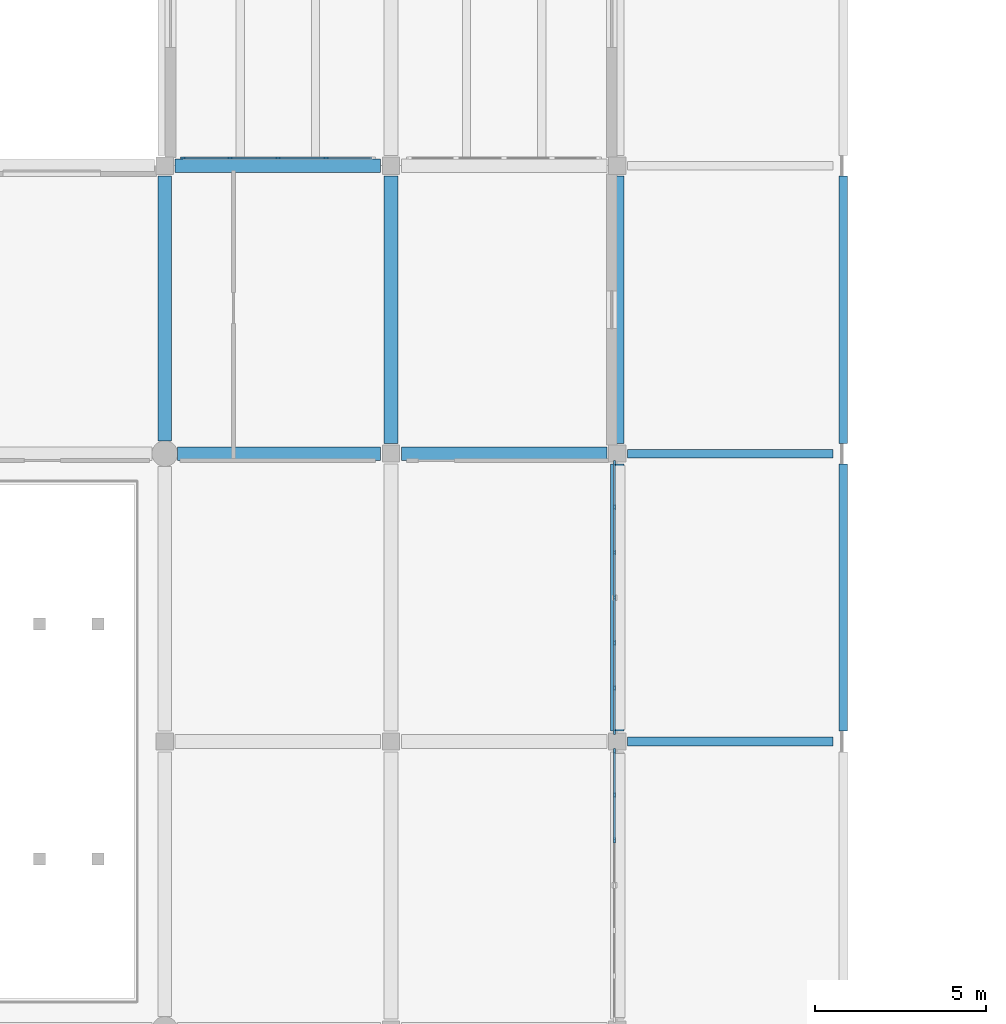
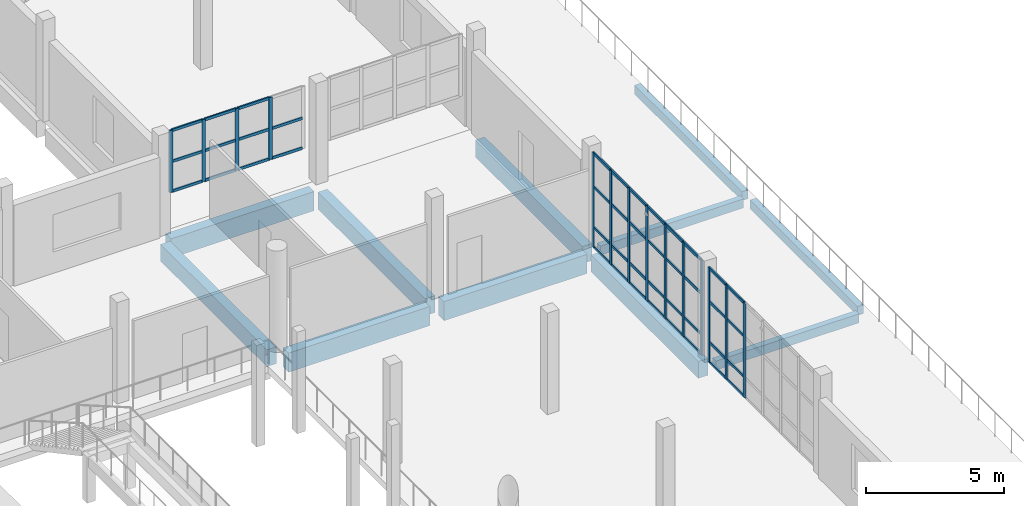
# One storey, part 7 of 83: 57 members, 11 beams, 3 elements without a shape of their own.
"""IFC4 building model written with IfcOpenShell, lengths in metres."""

import ifcopenshell
import ifcopenshell.guid

model = None  # the IFC model being written
_history = None  # IfcOwnerHistory: only IFC2X3 demands one
_inside = {}  # id of a spatial element -> (the spatial element, [elements in it])
_under = {}  # id of a project, library or spatial element -> (it, [spatial elements below it])
_declared = {}  # id of a project -> (the project, [libraries it declares])
_typed = {}  # id of a type object -> (the type object, [elements of that type])
_made_of = {}  # id of a material, layer set ... -> (it, [elements and type objects made of it])


def new_model(schema):
    """Start an empty IFC model of exactly this schema.

    Asked for "IFC4X3", IfcOpenShell would pick the latest addendum, in which some entities
    have other attributes; the version numbers below select the first issue.
    IFC2X3 requires an IfcOwnerHistory on every rooted entity: one is made here for all.
    """
    global model, _history
    if schema == "IFC4X3":
        model = ifcopenshell.file(schema_version=(4, 3, 0, 0))
    else:
        model = ifcopenshell.file(schema=schema)
    _inside.clear()
    _under.clear()
    _declared.clear()
    _typed.clear()
    _made_of.clear()
    _history = None
    if model.schema == "IFC2X3":
        org = make("IfcOrganization", Name="unknown")
        user = make(
            "IfcPersonAndOrganization",
            ThePerson=make("IfcPerson", FamilyName="unknown"),
            TheOrganization=org,
        )
        app = make(
            "IfcApplication",
            ApplicationDeveloper=org,
            Version="unknown",
            ApplicationFullName="unknown",
            ApplicationIdentifier="unknown",
        )
        _history = make(
            "IfcOwnerHistory",
            OwningUser=user,
            OwningApplication=app,
            ChangeAction="ADDED",
            CreationDate=0,
        )
    return model


def make(cls, **values):
    """One entity of the class cls with the attributes given. An attribute that is None is left unset."""
    return model.create_entity(
        cls, **{name: value for name, value in values.items() if value is not None}
    )


def rooted(cls, **values):
    """An entity with a GlobalId (a new one), such as an element, a storey or a relation."""
    return make(cls, GlobalId=ifcopenshell.guid.new(), OwnerHistory=_history, **values)


def si_unit(unit_type, name, prefix=None):
    """IfcSIUnit, for example si_unit("LENGTHUNIT", "METRE", prefix="MILLI")."""
    return make("IfcSIUnit", UnitType=unit_type, Prefix=prefix, Name=name)


def assignment(units):
    """IfcUnitAssignment: the units of a project."""
    return None if units is None else make("IfcUnitAssignment", Units=units)


def point(xyz):
    """IfcCartesianPoint."""
    return None if xyz is None else make("IfcCartesianPoint", Coordinates=xyz)


def direction(xyz):
    """IfcDirection."""
    return None if xyz is None else make("IfcDirection", DirectionRatios=xyz)


def frame(location, z_axis=None, x_axis=None):
    """IfcAxis2Placement3D, a coordinate frame: its origin and axes. An axis left out is left unset."""
    return make(
        "IfcAxis2Placement3D",
        Location=point(location),
        Axis=direction(z_axis),
        RefDirection=direction(x_axis),
    )


def frame_2d(location, x_axis=None):
    """IfcAxis2Placement2D, a coordinate frame in the plane: its origin and x axis."""
    return make(
        "IfcAxis2Placement2D", Location=point(location), RefDirection=direction(x_axis)
    )


def origin():
    """The frame at (0, 0, 0) with its axes left unset."""
    return frame((0.0, 0.0, 0.0))


def origin_2d():
    """The frame at (0, 0) in the plane with its x axis left unset."""
    return frame_2d((0.0, 0.0))


def place(relative_to, where):
    """IfcLocalPlacement: puts the frame where relative to a parent placement (None: the world)."""
    return make(
        "IfcLocalPlacement", PlacementRelTo=relative_to, RelativePlacement=where
    )


def context(
    kind, dimensions, precision=None, world=None, true_north=None, identifier=None
):
    """IfcGeometricRepresentationContext, for example the 3D "Model" context."""
    return make(
        "IfcGeometricRepresentationContext",
        ContextIdentifier=identifier,
        ContextType=kind,
        CoordinateSpaceDimension=dimensions,
        Precision=precision,
        WorldCoordinateSystem=world,
        TrueNorth=true_north,
    )


def subcontext(parent, identifier, kind, view, scale=None):
    """IfcGeometricRepresentationSubContext, for example "Body" below "Model"."""
    return make(
        "IfcGeometricRepresentationSubContext",
        ContextIdentifier=identifier,
        ContextType=kind,
        ParentContext=parent,
        TargetScale=scale,
        TargetView=view,
    )


def project(units=None, contexts=None):
    """IfcProject with its units and contexts."""
    return rooted(
        "IfcProject",
        Name="project",
        RepresentationContexts=contexts,
        UnitsInContext=assignment(units),
    )


def spatial(cls, under=None, at=None, **own):
    """A site, building, storey or space (cls), placed at a placement, below another one or the project."""
    s = rooted(cls, ObjectPlacement=at, **own)
    if under is not None:
        _under.setdefault(under.id(), (under, []))[1].append(s)
    return s


def profile(cls, at=None, kind="AREA", **sizes):
    """A parametric profile (cls). Its sizes go by their IFC names, for example OverallWidth=200.0."""
    return make(cls, ProfileType=kind, Position=at, **sizes)


def rectangle(**sizes):
    """IfcRectangleProfileDef."""
    return profile("IfcRectangleProfileDef", **sizes)


def extrude(swept, where, along, depth):
    """IfcExtrudedAreaSolid: the profile swept, set in the frame where, extruded along a direction by depth."""
    return make(
        "IfcExtrudedAreaSolid",
        SweptArea=swept,
        Position=where,
        ExtrudedDirection=direction(along),
        Depth=depth,
    )


def shape(context_of_items, identifier, shape_type, items):
    """IfcShapeRepresentation: the items that make up one representation, for example the "Body"."""
    return make(
        "IfcShapeRepresentation",
        ContextOfItems=context_of_items,
        RepresentationIdentifier=identifier,
        RepresentationType=shape_type,
        Items=items,
    )


def material(Name=None, Category=None):
    """IfcMaterial."""
    return make("IfcMaterial", Name=Name, Category=Category)


def material_profile(
    of_material, cross_section, Name=None, Category=None, Priority=None
):
    """IfcMaterialProfile: a cross section and its material."""
    return make(
        "IfcMaterialProfile",
        Name=Name,
        Material=of_material,
        Profile=cross_section,
        Priority=Priority,
        Category=Category,
    )


def profile_set(profiles, Name=None, composite=None):
    """IfcMaterialProfileSet."""
    return make(
        "IfcMaterialProfileSet",
        Name=Name,
        MaterialProfiles=profiles,
        CompositeProfile=composite,
    )


def made_of(thing, what):
    """Note that an element or type object is made of a material, layer set ...; save() writes the relation."""
    if what is not None:
        _made_of.setdefault(what.id(), (what, []))[1].append(thing)
    return thing


def type_object(cls, material=None, **own):
    """A type object (cls), such as IfcWallType, which elements share."""
    return made_of(rooted(cls, **own), material)


def element(
    cls,
    number,
    at=None,
    inside=None,
    cuts=None,
    type_object=None,
    material=None,
    context=None,
    identifier="Body",
    shape_type=None,
    held_by="IfcProductDefinitionShape",
    body=None,
    shapes=None,
    **own,
):
    """One element of the class cls, such as IfcWall. Its Tag is "e" and its number.

    at: its placement. inside: the storey or other place that contains it. cuts: it is an
    opening in that element (IfcRelVoidsElement). A single representation is given by context,
    identifier, shape_type and body (its items); several are given by shapes. held_by: the class
    of the entity that holds the representations. save() writes the other relations.
    """
    e = rooted(cls, Tag="e%d" % number, ObjectPlacement=at, **own)
    if body is not None:
        shapes = [shape(context, identifier, shape_type, body)]
    if shapes is not None:
        e.Representation = make(held_by, Representations=shapes)
    if inside is not None:
        _inside.setdefault(inside.id(), (inside, []))[1].append(e)
    if cuts is not None:
        rooted(
            "IfcRelVoidsElement", RelatingBuildingElement=cuts, RelatedOpeningElement=e
        )
    if type_object is not None:
        _typed.setdefault(type_object.id(), (type_object, []))[1].append(e)
    return made_of(e, material)


def aggregate(whole, parts):
    """IfcRelAggregates: a whole, such as a stair, and the parts it consists of."""
    return rooted("IfcRelAggregates", RelatingObject=whole, RelatedObjects=parts)


def save(model, path):
    """Write the relations noted so far, then the file.

    IfcRelAggregates (storeys below a building ...), IfcRelContainedInSpatialStructure (elements
    in a storey), IfcRelDefinesByType, IfcRelAssociatesMaterial and IfcRelDeclares: one each for
    every whole, place, type object, material and project.
    """
    for whole, parts in _under.values():
        aggregate(whole, parts)
    for where, things in _inside.values():
        rooted(
            "IfcRelContainedInSpatialStructure",
            RelatedElements=things,
            RelatingStructure=where,
        )
    for kind, things in _typed.values():
        rooted("IfcRelDefinesByType", RelatedObjects=things, RelatingType=kind)
    for what, things in _made_of.values():
        rooted("IfcRelAssociatesMaterial", RelatedObjects=things, RelatingMaterial=what)
    for by, libraries in _declared.values():
        rooted("IfcRelDeclares", RelatingContext=by, RelatedDefinitions=libraries)
    model.write(path)


model = new_model("IFC4")

# Units and contexts
model_context = context("Model", 3, precision=1e-05, world=origin(), true_north=direction((0.0, 1.0)))
body_context = subcontext(model_context, "Body", "Model", "MODEL_VIEW")
ifc_project = project(units=[si_unit("LENGTHUNIT", "METRE"), si_unit("AREAUNIT", "SQUARE_METRE"), si_unit("VOLUMEUNIT", "CUBIC_METRE"), si_unit("PLANEANGLEUNIT", "RADIAN"), si_unit("MASSUNIT", "GRAM", prefix="KILO")], contexts=[model_context])

# Site, building, storey
site_placement = place(None, origin())
site = spatial("IfcSite", under=ifc_project, at=site_placement, CompositionType="ELEMENT")
building_placement = place(site_placement, origin())
building = spatial("IfcBuilding", under=site, at=building_placement, Name="Qaldarim Faculty of Natural and Applied Sciences", CompositionType="ELEMENT")
storey_placement = place(building_placement, frame((0.0, 0.0, 5.39990234375)))
storey = spatial("IfcBuildingStorey", under=building, at=storey_placement, Name="L01", CompositionType="ELEMENT", Elevation=5.39990234375)

# Beams
ifc_material_1 = material(Name="Concrete C40/50", Category="concrete")
ifc_material_profile_1 = material_profile(ifc_material_1, rectangle(XDim=0.25, YDim=0.39990234375, at=origin_2d()), Name="RC-LN250x400")
ifc_profile_set_1 = profile_set([ifc_material_profile_1], Name="Concrete C40/50")
beam_type_1 = type_object("IfcBeamType", Name="ArcadeLintel-RC250x400", PredefinedType="LINTEL", material=ifc_profile_set_1)
for number, where, z_axis, x_axis, name in (
    (1, (46.5, 67.199951171875, -0.39990234375), (1.0, 0.0, 0.0), (0.0, 1.0, 0.0), "Beam RC-LN250x400 L00 X08-X09/Y09"),
    (2, (46.5, 75.60009765625, -0.39990234375), (1.0, 0.0, 0.0), (0.0, 1.0, 0.0), "Beam RC-LN250x400 L00 X08-X09/Y10"),
):
    element("IfcBeam", number, at=place(storey_placement, frame(where, z_axis=z_axis, x_axis=x_axis)), inside=storey, type_object=beam_type_1, Name=name, PredefinedType="LINTEL", context=body_context, shape_type="SweptSolid", body=[
        extrude(rectangle(XDim=0.25, YDim=0.39990234375, at=origin_2d()), origin(), (0.0, 0.0, 1.0), 6.0),
    ])
for number, where, z_axis, x_axis, name in (
    (3, (52.800048828125, 67.5, -0.39990234375), (0.0, 1.0, 0.0), (-1.0, 0.0, 0.0), "Beam RC-LN250x400 L00 X09/Y09-Y10"),
    (4, (52.800048828125, 75.89990234375, -0.39990234375), (0.0, 1.0, 0.0), (-1.0, 0.0, 0.0), "Beam RC-LN250x400 L00 X09/Y10-Y11"),
):
    element("IfcBeam", number, at=place(storey_placement, frame(where, z_axis=z_axis, x_axis=x_axis)), inside=storey, type_object=beam_type_1, Name=name, PredefinedType="LINTEL", context=body_context, shape_type="SweptSolid", body=[
        extrude(rectangle(XDim=0.25, YDim=0.39990234375, at=origin_2d()), origin(), (0.0, 0.0, 1.0), 7.800048828125),
    ])
ifc_material_2 = material(Name="Concrete C50/60", Category="concrete")
ifc_material_profile_2 = material_profile(ifc_material_2, rectangle(XDim=0.39990234375, YDim=0.75, at=origin_2d()), Name="RC-B400x750")
ifc_profile_set_2 = profile_set([ifc_material_profile_2], Name="Concrete C50/60")
beam_type_2 = type_object("IfcBeamType", Name="LabGirder-RC400x750", PredefinedType="BEAM", material=ifc_profile_set_2)
beam_1_placement = place(storey_placement, frame((33.0, 75.97509765625, -0.6748046875), z_axis=(0.0, 1.0, 0.0), x_axis=(-1.0, 0.0, 0.0)))
element("IfcBeam", 5, at=beam_1_placement, inside=storey, type_object=beam_type_2, Name="Beam RC-B400x750 L00 X06/Y10-Y11", PredefinedType="BEAM", context=body_context, shape_type="SweptSolid", body=[
    extrude(rectangle(XDim=0.39990234375, YDim=0.75, at=origin_2d()), origin(), (0.0, 0.0, 1.0), 7.724853515625),
])
for number, where, z_axis, x_axis, name in (
    (6, (39.60009765625, 75.89990234375, -0.6748046875), (0.0, 1.0, 0.0), (-1.0, 0.0, 0.0), "Beam RC-B400x750 L00 X07/Y10-Y11"),
    (7, (46.199951171875, 67.5, -0.6748046875), (0.0, 1.0, 0.0), (-1.0, 0.0, 0.0), "Beam RC-B400x750 L00 X08/Y09-Y10"),
    (8, (46.199951171875, 75.89990234375, -0.6748046875), (0.0, 1.0, 0.0), (-1.0, 0.0, 0.0), "Beam RC-B400x750 L00 X08/Y10-Y11"),
):
    element("IfcBeam", number, at=place(storey_placement, frame(where, z_axis=z_axis, x_axis=x_axis)), inside=storey, type_object=beam_type_2, Name=name, PredefinedType="BEAM", context=body_context, shape_type="SweptSolid", body=[
        extrude(rectangle(XDim=0.39990234375, YDim=0.75, at=origin_2d()), origin(), (0.0, 0.0, 1.0), 7.800048828125),
    ])

# Curtain wall, members
ifc_material_3 = material(Name="Anodised aluminium AW-6063", Category="aluminium")
curtain_wall_type_1 = type_object("IfcCurtainWallType", Name="CurtainWallSystem-M1300", PredefinedType="USERDEFINED", material=ifc_material_3)
curtain_wall_1_placement = place(storey_placement, origin())
curtain_wall_1 = element("IfcCurtainWall", 9, at=curtain_wall_1_placement, inside=storey, type_object=curtain_wall_type_1, Name="Curtain wall CW-L01-E-X07Y08", ObjectType="STICK CURTAIN WALL", PredefinedType="USERDEFINED")
ifc_material_profile_3 = material_profile(ifc_material_3, rectangle(XDim=0.06005859375, YDim=0.14990234375, at=origin_2d()), Name="ALU-M60x150")
ifc_profile_set_3 = profile_set([ifc_material_profile_3], Name="Anodised aluminium AW-6063")
member_type_1 = type_object("IfcMemberType", Name="Mullion-ALU60x150", PredefinedType="MULLION", material=ifc_profile_set_3)
member_1_placement = place(storey_placement, frame((46.1201171875, 64.318359375, 0.0), z_axis=(0.0, 0.0, 1.0), x_axis=(-1.0, 0.0, 0.0)))
member_1 = element("IfcMember", 10, at=member_1_placement, type_object=member_type_1, Name="Mullion 5 of CW-L01-E-X07Y08", PredefinedType="MULLION", context=body_context, shape_type="SweptSolid", body=[
    extrude(rectangle(XDim=0.06005859375, YDim=0.14990234375, at=origin_2d()), origin(), (0.0, 0.0, 1.0), 4.2001953125),
])
member_2_placement = place(storey_placement, frame((46.1201171875, 65.63671875, 0.0), z_axis=(0.0, 0.0, 1.0), x_axis=(-1.0, 0.0, 0.0)))
member_2 = element("IfcMember", 11, at=member_2_placement, type_object=member_type_1, Name="Mullion 6 of CW-L01-E-X07Y08", PredefinedType="MULLION", context=body_context, shape_type="SweptSolid", body=[
    extrude(rectangle(XDim=0.06005859375, YDim=0.14990234375, at=origin_2d()), origin(), (0.0, 0.0, 1.0), 4.2001953125),
])
member_3_placement = place(storey_placement, frame((46.1201171875, 66.925048828125, 0.0), z_axis=(0.0, 0.0, 1.0), x_axis=(-1.0, 0.0, 0.0)))
member_3 = element("IfcMember", 12, at=member_3_placement, type_object=member_type_1, Name="Mullion 7 of CW-L01-E-X07Y08", PredefinedType="MULLION", context=body_context, shape_type="SweptSolid", body=[
    extrude(rectangle(XDim=0.06005859375, YDim=0.14990234375, at=origin_2d()), origin(), (0.0, 0.0, 1.0), 4.2001953125),
])

curtain_wall_2_placement = place(storey_placement, origin())
curtain_wall_2 = element("IfcCurtainWall", 13, at=curtain_wall_2_placement, inside=storey, type_object=curtain_wall_type_1, Name="Curtain wall CW-L01-E-X07Y09", ObjectType="STICK CURTAIN WALL", PredefinedType="USERDEFINED")
member_4_placement = place(storey_placement, frame((46.1201171875, 67.47509765625, 0.0), z_axis=(0.0, 0.0, 1.0), x_axis=(-1.0, 0.0, 0.0)))
member_4 = element("IfcMember", 14, at=member_4_placement, type_object=member_type_1, Name="Mullion 1 of CW-L01-E-X07Y09", PredefinedType="MULLION", context=body_context, shape_type="SweptSolid", body=[
    extrude(rectangle(XDim=0.06005859375, YDim=0.14990234375, at=origin_2d()), origin(), (0.0, 0.0, 1.0), 4.2001953125),
])
member_5_placement = place(storey_placement, frame((46.1201171875, 68.76318359375, 0.0), z_axis=(0.0, 0.0, 1.0), x_axis=(-1.0, 0.0, 0.0)))
member_5 = element("IfcMember", 15, at=member_5_placement, type_object=member_type_1, Name="Mullion 2 of CW-L01-E-X07Y09", PredefinedType="MULLION", context=body_context, shape_type="SweptSolid", body=[
    extrude(rectangle(XDim=0.06005859375, YDim=0.14990234375, at=origin_2d()), origin(), (0.0, 0.0, 1.0), 4.2001953125),
])
member_6_placement = place(storey_placement, frame((46.1201171875, 70.081787109375, 0.0), z_axis=(0.0, 0.0, 1.0), x_axis=(-1.0, 0.0, 0.0)))
member_6 = element("IfcMember", 16, at=member_6_placement, type_object=member_type_1, Name="Mullion 3 of CW-L01-E-X07Y09", PredefinedType="MULLION", context=body_context, shape_type="SweptSolid", body=[
    extrude(rectangle(XDim=0.06005859375, YDim=0.14990234375, at=origin_2d()), origin(), (0.0, 0.0, 1.0), 4.2001953125),
])
member_7_placement = place(storey_placement, frame((46.1201171875, 71.39990234375, 0.0), z_axis=(0.0, 0.0, 1.0), x_axis=(-1.0, 0.0, 0.0)))
member_7 = element("IfcMember", 17, at=member_7_placement, type_object=member_type_1, Name="Mullion 4 of CW-L01-E-X07Y09", PredefinedType="MULLION", context=body_context, shape_type="SweptSolid", body=[
    extrude(rectangle(XDim=0.06005859375, YDim=0.14990234375, at=origin_2d()), origin(), (0.0, 0.0, 1.0), 4.2001953125),
])
member_8_placement = place(storey_placement, frame((46.1201171875, 72.71826171875, 0.0), z_axis=(0.0, 0.0, 1.0), x_axis=(-1.0, 0.0, 0.0)))
member_8 = element("IfcMember", 18, at=member_8_placement, type_object=member_type_1, Name="Mullion 5 of CW-L01-E-X07Y09", PredefinedType="MULLION", context=body_context, shape_type="SweptSolid", body=[
    extrude(rectangle(XDim=0.06005859375, YDim=0.14990234375, at=origin_2d()), origin(), (0.0, 0.0, 1.0), 4.2001953125),
])
member_9_placement = place(storey_placement, frame((46.1201171875, 74.03662109375, 0.0), z_axis=(0.0, 0.0, 1.0), x_axis=(-1.0, 0.0, 0.0)))
member_9 = element("IfcMember", 19, at=member_9_placement, type_object=member_type_1, Name="Mullion 6 of CW-L01-E-X07Y09", PredefinedType="MULLION", context=body_context, shape_type="SweptSolid", body=[
    extrude(rectangle(XDim=0.06005859375, YDim=0.14990234375, at=origin_2d()), origin(), (0.0, 0.0, 1.0), 4.2001953125),
])
member_10_placement = place(storey_placement, frame((46.1201171875, 75.324951171875, 0.0), z_axis=(0.0, 0.0, 1.0), x_axis=(-1.0, 0.0, 0.0)))
member_10 = element("IfcMember", 20, at=member_10_placement, type_object=member_type_1, Name="Mullion 7 of CW-L01-E-X07Y09", PredefinedType="MULLION", context=body_context, shape_type="SweptSolid", body=[
    extrude(rectangle(XDim=0.06005859375, YDim=0.14990234375, at=origin_2d()), origin(), (0.0, 0.0, 1.0), 4.2001953125),
])

curtain_wall_type_2 = type_object("IfcCurtainWallType", Name="CurtainWallSystem-M1400", PredefinedType="USERDEFINED", material=ifc_material_3)
curtain_wall_3_placement = place(storey_placement, origin())
curtain_wall_3 = element("IfcCurtainWall", 21, at=curtain_wall_3_placement, inside=storey, type_object=curtain_wall_type_2, Name="Curtain wall CW-V4RIB-L01-X06", ObjectType="STICK CURTAIN WALL", PredefinedType="USERDEFINED")
member_11_placement = place(storey_placement, frame((33.530029296875, 84.219970703125, 1.4501953125), z_axis=(0.0, 0.0, 1.0), x_axis=(0.0, 1.0, 0.0)))
member_11 = element("IfcMember", 22, at=member_11_placement, type_object=member_type_1, Name="Mullion 1 of CW-V4RIB-L01-X06", PredefinedType="MULLION", context=body_context, shape_type="SweptSolid", body=[
    extrude(rectangle(XDim=0.06005859375, YDim=0.14990234375, at=origin_2d()), origin(), (0.0, 0.0, 1.0), 2.75),
])
member_12_placement = place(storey_placement, frame((34.89990234375, 84.219970703125, 1.4501953125), z_axis=(0.0, 0.0, 1.0), x_axis=(0.0, 1.0, 0.0)))
member_12 = element("IfcMember", 23, at=member_12_placement, type_object=member_type_1, Name="Mullion 2 of CW-V4RIB-L01-X06", PredefinedType="MULLION", context=body_context, shape_type="SweptSolid", body=[
    extrude(rectangle(XDim=0.06005859375, YDim=0.14990234375, at=origin_2d()), origin(), (0.0, 0.0, 1.0), 2.75),
])
member_13_placement = place(storey_placement, frame((36.300048828125, 84.219970703125, 1.4501953125), z_axis=(0.0, 0.0, 1.0), x_axis=(0.0, 1.0, 0.0)))
member_13 = element("IfcMember", 24, at=member_13_placement, type_object=member_type_1, Name="Mullion 3 of CW-V4RIB-L01-X06", PredefinedType="MULLION", context=body_context, shape_type="SweptSolid", body=[
    extrude(rectangle(XDim=0.06005859375, YDim=0.14990234375, at=origin_2d()), origin(), (0.0, 0.0, 1.0), 2.75),
])
member_14_placement = place(storey_placement, frame((37.699951171875, 84.219970703125, 1.4501953125), z_axis=(0.0, 0.0, 1.0), x_axis=(0.0, 1.0, 0.0)))
member_14 = element("IfcMember", 25, at=member_14_placement, type_object=member_type_1, Name="Mullion 4 of CW-V4RIB-L01-X06", PredefinedType="MULLION", context=body_context, shape_type="SweptSolid", body=[
    extrude(rectangle(XDim=0.06005859375, YDim=0.14990234375, at=origin_2d()), origin(), (0.0, 0.0, 1.0), 2.75),
])

# Beams
ifc_material_profile_4 = material_profile(ifc_material_2, rectangle(XDim=0.39990234375, YDim=0.85009765625, at=origin_2d()), Name="RC-B400x850")
ifc_profile_set_4 = profile_set([ifc_material_profile_4], Name="Concrete C50/60")
beam_type_3 = type_object("IfcBeamType", Name="PodiumGirder-RC400x850", PredefinedType="BEAM", material=ifc_profile_set_4)
beam_2_placement = place(storey_placement, frame((33.375, 75.60009765625, -0.724853515625), z_axis=(1.0, 0.0, 0.0), x_axis=(0.0, 1.0, 0.0)))
element("IfcBeam", 26, at=beam_2_placement, inside=storey, type_object=beam_type_3, Name="Beam RC-B400x850 L00 X06-X07/Y10", PredefinedType="BEAM", context=body_context, shape_type="SweptSolid", body=[
    extrude(rectangle(XDim=0.39990234375, YDim=0.85009765625, at=origin_2d()), origin(), (0.0, 0.0, 1.0), 5.925048828125),
])
for number, where, z_axis, x_axis, name in (
    (27, (39.89990234375, 75.60009765625, -0.724853515625), (1.0, 0.0, 0.0), (0.0, 1.0, 0.0), "Beam RC-B400x850 L00 X07-X08/Y10"),
    (28, (33.300048828125, 84.0, -0.724853515625), (1.0, 0.0, 0.0), (0.0, 1.0, 0.0), "Beam RC-B400x850 L00 X06-X07/Y11"),
):
    element("IfcBeam", number, at=place(storey_placement, frame(where, z_axis=z_axis, x_axis=x_axis)), inside=storey, type_object=beam_type_3, Name=name, PredefinedType="BEAM", context=body_context, shape_type="SweptSolid", body=[
        extrude(rectangle(XDim=0.39990234375, YDim=0.85009765625, at=origin_2d()), origin(), (0.0, 0.0, 1.0), 6.0),
    ])

# Member
ifc_material_profile_5 = material_profile(ifc_material_3, rectangle(XDim=0.06005859375, YDim=0.1201171875, at=origin_2d()), Name="ALU-T60x120")
ifc_profile_set_5 = profile_set([ifc_material_profile_5], Name="Anodised aluminium AW-6063")
member_type_2 = type_object("IfcMemberType", Name="Transom-ALU60x120", PredefinedType="USERDEFINED", material=ifc_profile_set_5)
member_15_placement = place(storey_placement, frame((46.1201171875, 64.348388671875, 0.030029296875), z_axis=(0.0, 1.0, 0.0), x_axis=(-1.0, 0.0, 0.0)))
member_15 = element("IfcMember", 29, at=member_15_placement, type_object=member_type_2, Name="Transom 5-1 of CW-L01-E-X07Y08", ObjectType="TRANSOM", PredefinedType="USERDEFINED", context=body_context, shape_type="SweptSolid", body=[
    extrude(rectangle(XDim=0.06005859375, YDim=0.1201171875, at=origin_2d()), origin(), (0.0, 0.0, 1.0), 1.25830078125),
])

member_16_placement = place(storey_placement, frame((46.1201171875, 64.348388671875, 0.900146484375), z_axis=(0.0, 1.0, 0.0), x_axis=(-1.0, 0.0, 0.0)))
member_16 = element("IfcMember", 30, at=member_16_placement, type_object=member_type_2, Name="Transom 5-2 of CW-L01-E-X07Y08", ObjectType="TRANSOM", PredefinedType="USERDEFINED", context=body_context, shape_type="SweptSolid", body=[
    extrude(rectangle(XDim=0.06005859375, YDim=0.1201171875, at=origin_2d()), origin(), (0.0, 0.0, 1.0), 1.25830078125),
])

member_17_placement = place(storey_placement, frame((46.1201171875, 64.348388671875, 2.7001953125), z_axis=(0.0, 1.0, 0.0), x_axis=(-1.0, 0.0, 0.0)))
member_17 = element("IfcMember", 31, at=member_17_placement, type_object=member_type_2, Name="Transom 5-3 of CW-L01-E-X07Y08", ObjectType="TRANSOM", PredefinedType="USERDEFINED", context=body_context, shape_type="SweptSolid", body=[
    extrude(rectangle(XDim=0.06005859375, YDim=0.1201171875, at=origin_2d()), origin(), (0.0, 0.0, 1.0), 1.25830078125),
])

member_18_placement = place(storey_placement, frame((46.1201171875, 64.348388671875, 4.170166015625), z_axis=(0.0, 1.0, 0.0), x_axis=(-1.0, 0.0, 0.0)))
member_18 = element("IfcMember", 32, at=member_18_placement, type_object=member_type_2, Name="Transom 5-4 of CW-L01-E-X07Y08", ObjectType="TRANSOM", PredefinedType="USERDEFINED", context=body_context, shape_type="SweptSolid", body=[
    extrude(rectangle(XDim=0.06005859375, YDim=0.1201171875, at=origin_2d()), origin(), (0.0, 0.0, 1.0), 1.25830078125),
])

member_19_placement = place(storey_placement, frame((46.1201171875, 65.666748046875, 0.030029296875), z_axis=(0.0, 1.0, 0.0), x_axis=(-1.0, 0.0, 0.0)))
member_19 = element("IfcMember", 33, at=member_19_placement, type_object=member_type_2, Name="Transom 6-1 of CW-L01-E-X07Y08", ObjectType="TRANSOM", PredefinedType="USERDEFINED", context=body_context, shape_type="SweptSolid", body=[
    extrude(rectangle(XDim=0.06005859375, YDim=0.1201171875, at=origin_2d()), origin(), (0.0, 0.0, 1.0), 1.228271484375),
])

member_20_placement = place(storey_placement, frame((46.1201171875, 65.666748046875, 0.900146484375), z_axis=(0.0, 1.0, 0.0), x_axis=(-1.0, 0.0, 0.0)))
member_20 = element("IfcMember", 34, at=member_20_placement, type_object=member_type_2, Name="Transom 6-2 of CW-L01-E-X07Y08", ObjectType="TRANSOM", PredefinedType="USERDEFINED", context=body_context, shape_type="SweptSolid", body=[
    extrude(rectangle(XDim=0.06005859375, YDim=0.1201171875, at=origin_2d()), origin(), (0.0, 0.0, 1.0), 1.228271484375),
])

member_21_placement = place(storey_placement, frame((46.1201171875, 65.666748046875, 2.7001953125), z_axis=(0.0, 1.0, 0.0), x_axis=(-1.0, 0.0, 0.0)))
member_21 = element("IfcMember", 35, at=member_21_placement, type_object=member_type_2, Name="Transom 6-3 of CW-L01-E-X07Y08", ObjectType="TRANSOM", PredefinedType="USERDEFINED", context=body_context, shape_type="SweptSolid", body=[
    extrude(rectangle(XDim=0.06005859375, YDim=0.1201171875, at=origin_2d()), origin(), (0.0, 0.0, 1.0), 1.228271484375),
])

member_22_placement = place(storey_placement, frame((46.1201171875, 65.666748046875, 4.170166015625), z_axis=(0.0, 1.0, 0.0), x_axis=(-1.0, 0.0, 0.0)))
member_22 = element("IfcMember", 36, at=member_22_placement, type_object=member_type_2, Name="Transom 6-4 of CW-L01-E-X07Y08", ObjectType="TRANSOM", PredefinedType="USERDEFINED", context=body_context, shape_type="SweptSolid", body=[
    extrude(rectangle(XDim=0.06005859375, YDim=0.1201171875, at=origin_2d()), origin(), (0.0, 0.0, 1.0), 1.228271484375),
])

aggregate(curtain_wall_1, [member_1, member_2, member_3, member_15, member_16, member_17, member_18, member_19, member_20, member_21, member_22])

member_23_placement = place(storey_placement, frame((46.1201171875, 67.5048828125, 0.030029296875), z_axis=(0.0, 1.0, 0.0), x_axis=(-1.0, 0.0, 0.0)))
member_23 = element("IfcMember", 37, at=member_23_placement, type_object=member_type_2, Name="Transom 1-1 of CW-L01-E-X07Y09", ObjectType="TRANSOM", PredefinedType="USERDEFINED", context=body_context, shape_type="SweptSolid", body=[
    extrude(rectangle(XDim=0.06005859375, YDim=0.1201171875, at=origin_2d()), origin(), (0.0, 0.0, 1.0), 1.228515625),
])

member_24_placement = place(storey_placement, frame((46.1201171875, 67.5048828125, 0.900146484375), z_axis=(0.0, 1.0, 0.0), x_axis=(-1.0, 0.0, 0.0)))
member_24 = element("IfcMember", 38, at=member_24_placement, type_object=member_type_2, Name="Transom 1-2 of CW-L01-E-X07Y09", ObjectType="TRANSOM", PredefinedType="USERDEFINED", context=body_context, shape_type="SweptSolid", body=[
    extrude(rectangle(XDim=0.06005859375, YDim=0.1201171875, at=origin_2d()), origin(), (0.0, 0.0, 1.0), 1.228515625),
])

member_25_placement = place(storey_placement, frame((46.1201171875, 67.5048828125, 2.7001953125), z_axis=(0.0, 1.0, 0.0), x_axis=(-1.0, 0.0, 0.0)))
member_25 = element("IfcMember", 39, at=member_25_placement, type_object=member_type_2, Name="Transom 1-3 of CW-L01-E-X07Y09", ObjectType="TRANSOM", PredefinedType="USERDEFINED", context=body_context, shape_type="SweptSolid", body=[
    extrude(rectangle(XDim=0.06005859375, YDim=0.1201171875, at=origin_2d()), origin(), (0.0, 0.0, 1.0), 1.228515625),
])

member_26_placement = place(storey_placement, frame((46.1201171875, 67.5048828125, 4.170166015625), z_axis=(0.0, 1.0, 0.0), x_axis=(-1.0, 0.0, 0.0)))
member_26 = element("IfcMember", 40, at=member_26_placement, type_object=member_type_2, Name="Transom 1-4 of CW-L01-E-X07Y09", ObjectType="TRANSOM", PredefinedType="USERDEFINED", context=body_context, shape_type="SweptSolid", body=[
    extrude(rectangle(XDim=0.06005859375, YDim=0.1201171875, at=origin_2d()), origin(), (0.0, 0.0, 1.0), 1.228515625),
])

member_27_placement = place(storey_placement, frame((46.1201171875, 68.793212890625, 0.030029296875), z_axis=(0.0, 1.0, 0.0), x_axis=(-1.0, 0.0, 0.0)))
member_27 = element("IfcMember", 41, at=member_27_placement, type_object=member_type_2, Name="Transom 2-1 of CW-L01-E-X07Y09", ObjectType="TRANSOM", PredefinedType="USERDEFINED", context=body_context, shape_type="SweptSolid", body=[
    extrude(rectangle(XDim=0.06005859375, YDim=0.1201171875, at=origin_2d()), origin(), (0.0, 0.0, 1.0), 1.258544921875),
])

member_28_placement = place(storey_placement, frame((46.1201171875, 68.793212890625, 0.900146484375), z_axis=(0.0, 1.0, 0.0), x_axis=(-1.0, 0.0, 0.0)))
member_28 = element("IfcMember", 42, at=member_28_placement, type_object=member_type_2, Name="Transom 2-2 of CW-L01-E-X07Y09", ObjectType="TRANSOM", PredefinedType="USERDEFINED", context=body_context, shape_type="SweptSolid", body=[
    extrude(rectangle(XDim=0.06005859375, YDim=0.1201171875, at=origin_2d()), origin(), (0.0, 0.0, 1.0), 1.258544921875),
])

member_29_placement = place(storey_placement, frame((46.1201171875, 68.793212890625, 2.7001953125), z_axis=(0.0, 1.0, 0.0), x_axis=(-1.0, 0.0, 0.0)))
member_29 = element("IfcMember", 43, at=member_29_placement, type_object=member_type_2, Name="Transom 2-3 of CW-L01-E-X07Y09", ObjectType="TRANSOM", PredefinedType="USERDEFINED", context=body_context, shape_type="SweptSolid", body=[
    extrude(rectangle(XDim=0.06005859375, YDim=0.1201171875, at=origin_2d()), origin(), (0.0, 0.0, 1.0), 1.258544921875),
])

member_30_placement = place(storey_placement, frame((46.1201171875, 68.793212890625, 4.170166015625), z_axis=(0.0, 1.0, 0.0), x_axis=(-1.0, 0.0, 0.0)))
member_30 = element("IfcMember", 44, at=member_30_placement, type_object=member_type_2, Name="Transom 2-4 of CW-L01-E-X07Y09", ObjectType="TRANSOM", PredefinedType="USERDEFINED", context=body_context, shape_type="SweptSolid", body=[
    extrude(rectangle(XDim=0.06005859375, YDim=0.1201171875, at=origin_2d()), origin(), (0.0, 0.0, 1.0), 1.258544921875),
])

member_31_placement = place(storey_placement, frame((46.1201171875, 70.11181640625, 0.030029296875), z_axis=(0.0, 1.0, 0.0), x_axis=(-1.0, 0.0, 0.0)))
member_31 = element("IfcMember", 45, at=member_31_placement, type_object=member_type_2, Name="Transom 3-1 of CW-L01-E-X07Y09", ObjectType="TRANSOM", PredefinedType="USERDEFINED", context=body_context, shape_type="SweptSolid", body=[
    extrude(rectangle(XDim=0.06005859375, YDim=0.1201171875, at=origin_2d()), origin(), (0.0, 0.0, 1.0), 1.25830078125),
])

member_32_placement = place(storey_placement, frame((46.1201171875, 70.11181640625, 0.900146484375), z_axis=(0.0, 1.0, 0.0), x_axis=(-1.0, 0.0, 0.0)))
member_32 = element("IfcMember", 46, at=member_32_placement, type_object=member_type_2, Name="Transom 3-2 of CW-L01-E-X07Y09", ObjectType="TRANSOM", PredefinedType="USERDEFINED", context=body_context, shape_type="SweptSolid", body=[
    extrude(rectangle(XDim=0.06005859375, YDim=0.1201171875, at=origin_2d()), origin(), (0.0, 0.0, 1.0), 1.25830078125),
])

member_33_placement = place(storey_placement, frame((46.1201171875, 70.11181640625, 2.7001953125), z_axis=(0.0, 1.0, 0.0), x_axis=(-1.0, 0.0, 0.0)))
member_33 = element("IfcMember", 47, at=member_33_placement, type_object=member_type_2, Name="Transom 3-3 of CW-L01-E-X07Y09", ObjectType="TRANSOM", PredefinedType="USERDEFINED", context=body_context, shape_type="SweptSolid", body=[
    extrude(rectangle(XDim=0.06005859375, YDim=0.1201171875, at=origin_2d()), origin(), (0.0, 0.0, 1.0), 1.25830078125),
])

member_34_placement = place(storey_placement, frame((46.1201171875, 70.11181640625, 4.170166015625), z_axis=(0.0, 1.0, 0.0), x_axis=(-1.0, 0.0, 0.0)))
member_34 = element("IfcMember", 48, at=member_34_placement, type_object=member_type_2, Name="Transom 3-4 of CW-L01-E-X07Y09", ObjectType="TRANSOM", PredefinedType="USERDEFINED", context=body_context, shape_type="SweptSolid", body=[
    extrude(rectangle(XDim=0.06005859375, YDim=0.1201171875, at=origin_2d()), origin(), (0.0, 0.0, 1.0), 1.25830078125),
])

member_35_placement = place(storey_placement, frame((46.1201171875, 71.429931640625, 0.030029296875), z_axis=(0.0, 1.0, 0.0), x_axis=(-1.0, 0.0, 0.0)))
member_35 = element("IfcMember", 49, at=member_35_placement, type_object=member_type_2, Name="Transom 4-1 of CW-L01-E-X07Y09", ObjectType="TRANSOM", PredefinedType="USERDEFINED", context=body_context, shape_type="SweptSolid", body=[
    extrude(rectangle(XDim=0.06005859375, YDim=0.1201171875, at=origin_2d()), origin(), (0.0, 0.0, 1.0), 1.25830078125),
])

member_36_placement = place(storey_placement, frame((46.1201171875, 71.429931640625, 0.900146484375), z_axis=(0.0, 1.0, 0.0), x_axis=(-1.0, 0.0, 0.0)))
member_36 = element("IfcMember", 50, at=member_36_placement, type_object=member_type_2, Name="Transom 4-2 of CW-L01-E-X07Y09", ObjectType="TRANSOM", PredefinedType="USERDEFINED", context=body_context, shape_type="SweptSolid", body=[
    extrude(rectangle(XDim=0.06005859375, YDim=0.1201171875, at=origin_2d()), origin(), (0.0, 0.0, 1.0), 1.25830078125),
])

member_37_placement = place(storey_placement, frame((46.1201171875, 71.429931640625, 2.7001953125), z_axis=(0.0, 1.0, 0.0), x_axis=(-1.0, 0.0, 0.0)))
member_37 = element("IfcMember", 51, at=member_37_placement, type_object=member_type_2, Name="Transom 4-3 of CW-L01-E-X07Y09", ObjectType="TRANSOM", PredefinedType="USERDEFINED", context=body_context, shape_type="SweptSolid", body=[
    extrude(rectangle(XDim=0.06005859375, YDim=0.1201171875, at=origin_2d()), origin(), (0.0, 0.0, 1.0), 1.25830078125),
])

member_38_placement = place(storey_placement, frame((46.1201171875, 71.429931640625, 4.170166015625), z_axis=(0.0, 1.0, 0.0), x_axis=(-1.0, 0.0, 0.0)))
member_38 = element("IfcMember", 52, at=member_38_placement, type_object=member_type_2, Name="Transom 4-4 of CW-L01-E-X07Y09", ObjectType="TRANSOM", PredefinedType="USERDEFINED", context=body_context, shape_type="SweptSolid", body=[
    extrude(rectangle(XDim=0.06005859375, YDim=0.1201171875, at=origin_2d()), origin(), (0.0, 0.0, 1.0), 1.25830078125),
])

member_39_placement = place(storey_placement, frame((46.1201171875, 72.748291015625, 0.030029296875), z_axis=(0.0, 1.0, 0.0), x_axis=(-1.0, 0.0, 0.0)))
member_39 = element("IfcMember", 53, at=member_39_placement, type_object=member_type_2, Name="Transom 5-1 of CW-L01-E-X07Y09", ObjectType="TRANSOM", PredefinedType="USERDEFINED", context=body_context, shape_type="SweptSolid", body=[
    extrude(rectangle(XDim=0.06005859375, YDim=0.1201171875, at=origin_2d()), origin(), (0.0, 0.0, 1.0), 1.25830078125),
])

member_40_placement = place(storey_placement, frame((46.1201171875, 72.748291015625, 0.900146484375), z_axis=(0.0, 1.0, 0.0), x_axis=(-1.0, 0.0, 0.0)))
member_40 = element("IfcMember", 54, at=member_40_placement, type_object=member_type_2, Name="Transom 5-2 of CW-L01-E-X07Y09", ObjectType="TRANSOM", PredefinedType="USERDEFINED", context=body_context, shape_type="SweptSolid", body=[
    extrude(rectangle(XDim=0.06005859375, YDim=0.1201171875, at=origin_2d()), origin(), (0.0, 0.0, 1.0), 1.25830078125),
])

member_41_placement = place(storey_placement, frame((46.1201171875, 72.748291015625, 2.7001953125), z_axis=(0.0, 1.0, 0.0), x_axis=(-1.0, 0.0, 0.0)))
member_41 = element("IfcMember", 55, at=member_41_placement, type_object=member_type_2, Name="Transom 5-3 of CW-L01-E-X07Y09", ObjectType="TRANSOM", PredefinedType="USERDEFINED", context=body_context, shape_type="SweptSolid", body=[
    extrude(rectangle(XDim=0.06005859375, YDim=0.1201171875, at=origin_2d()), origin(), (0.0, 0.0, 1.0), 1.25830078125),
])

member_42_placement = place(storey_placement, frame((46.1201171875, 72.748291015625, 4.170166015625), z_axis=(0.0, 1.0, 0.0), x_axis=(-1.0, 0.0, 0.0)))
member_42 = element("IfcMember", 56, at=member_42_placement, type_object=member_type_2, Name="Transom 5-4 of CW-L01-E-X07Y09", ObjectType="TRANSOM", PredefinedType="USERDEFINED", context=body_context, shape_type="SweptSolid", body=[
    extrude(rectangle(XDim=0.06005859375, YDim=0.1201171875, at=origin_2d()), origin(), (0.0, 0.0, 1.0), 1.25830078125),
])

member_43_placement = place(storey_placement, frame((46.1201171875, 74.066650390625, 0.030029296875), z_axis=(0.0, 1.0, 0.0), x_axis=(-1.0, 0.0, 0.0)))
member_43 = element("IfcMember", 57, at=member_43_placement, type_object=member_type_2, Name="Transom 6-1 of CW-L01-E-X07Y09", ObjectType="TRANSOM", PredefinedType="USERDEFINED", context=body_context, shape_type="SweptSolid", body=[
    extrude(rectangle(XDim=0.06005859375, YDim=0.1201171875, at=origin_2d()), origin(), (0.0, 0.0, 1.0), 1.228271484375),
])

member_44_placement = place(storey_placement, frame((46.1201171875, 74.066650390625, 0.900146484375), z_axis=(0.0, 1.0, 0.0), x_axis=(-1.0, 0.0, 0.0)))
member_44 = element("IfcMember", 58, at=member_44_placement, type_object=member_type_2, Name="Transom 6-2 of CW-L01-E-X07Y09", ObjectType="TRANSOM", PredefinedType="USERDEFINED", context=body_context, shape_type="SweptSolid", body=[
    extrude(rectangle(XDim=0.06005859375, YDim=0.1201171875, at=origin_2d()), origin(), (0.0, 0.0, 1.0), 1.228271484375),
])

member_45_placement = place(storey_placement, frame((46.1201171875, 74.066650390625, 2.7001953125), z_axis=(0.0, 1.0, 0.0), x_axis=(-1.0, 0.0, 0.0)))
member_45 = element("IfcMember", 59, at=member_45_placement, type_object=member_type_2, Name="Transom 6-3 of CW-L01-E-X07Y09", ObjectType="TRANSOM", PredefinedType="USERDEFINED", context=body_context, shape_type="SweptSolid", body=[
    extrude(rectangle(XDim=0.06005859375, YDim=0.1201171875, at=origin_2d()), origin(), (0.0, 0.0, 1.0), 1.228271484375),
])

member_46_placement = place(storey_placement, frame((46.1201171875, 74.066650390625, 4.170166015625), z_axis=(0.0, 1.0, 0.0), x_axis=(-1.0, 0.0, 0.0)))
member_46 = element("IfcMember", 60, at=member_46_placement, type_object=member_type_2, Name="Transom 6-4 of CW-L01-E-X07Y09", ObjectType="TRANSOM", PredefinedType="USERDEFINED", context=body_context, shape_type="SweptSolid", body=[
    extrude(rectangle(XDim=0.06005859375, YDim=0.1201171875, at=origin_2d()), origin(), (0.0, 0.0, 1.0), 1.228271484375),
])

aggregate(curtain_wall_2, [member_4, member_5, member_6, member_7, member_8, member_9, member_10, member_23, member_24, member_25, member_26, member_27, member_28, member_29, member_30, member_31, member_32, member_33, member_34, member_35, member_36, member_37, member_38, member_39, member_40, member_41, member_42, member_43, member_44, member_45, member_46])

member_47_placement = place(storey_placement, frame((33.56005859375, 84.219970703125, 1.47998046875), z_axis=(1.0, 0.0, 0.0), x_axis=(0.0, 1.0, 0.0)))
member_47 = element("IfcMember", 61, at=member_47_placement, type_object=member_type_2, Name="Transom 1-1 of CW-V4RIB-L01-X06", ObjectType="TRANSOM", PredefinedType="USERDEFINED", context=body_context, shape_type="SweptSolid", body=[
    extrude(rectangle(XDim=0.06005859375, YDim=0.1201171875, at=origin_2d()), origin(), (0.0, 0.0, 1.0), 1.31005859375),
])

member_48_placement = place(storey_placement, frame((33.56005859375, 84.219970703125, 2.800048828125), z_axis=(1.0, 0.0, 0.0), x_axis=(0.0, 1.0, 0.0)))
member_48 = element("IfcMember", 62, at=member_48_placement, type_object=member_type_2, Name="Transom 1-2 of CW-V4RIB-L01-X06", ObjectType="TRANSOM", PredefinedType="USERDEFINED", context=body_context, shape_type="SweptSolid", body=[
    extrude(rectangle(XDim=0.06005859375, YDim=0.1201171875, at=origin_2d()), origin(), (0.0, 0.0, 1.0), 1.31005859375),
])

member_49_placement = place(storey_placement, frame((33.56005859375, 84.219970703125, 4.170166015625), z_axis=(1.0, 0.0, 0.0), x_axis=(0.0, 1.0, 0.0)))
member_49 = element("IfcMember", 63, at=member_49_placement, type_object=member_type_2, Name="Transom 1-3 of CW-V4RIB-L01-X06", ObjectType="TRANSOM", PredefinedType="USERDEFINED", context=body_context, shape_type="SweptSolid", body=[
    extrude(rectangle(XDim=0.06005859375, YDim=0.1201171875, at=origin_2d()), origin(), (0.0, 0.0, 1.0), 1.31005859375),
])

member_50_placement = place(storey_placement, frame((34.929931640625, 84.219970703125, 1.47998046875), z_axis=(1.0, 0.0, 0.0), x_axis=(0.0, 1.0, 0.0)))
member_50 = element("IfcMember", 64, at=member_50_placement, type_object=member_type_2, Name="Transom 2-1 of CW-V4RIB-L01-X06", ObjectType="TRANSOM", PredefinedType="USERDEFINED", context=body_context, shape_type="SweptSolid", body=[
    extrude(rectangle(XDim=0.06005859375, YDim=0.1201171875, at=origin_2d()), origin(), (0.0, 0.0, 1.0), 1.340087890625),
])

member_51_placement = place(storey_placement, frame((34.929931640625, 84.219970703125, 2.800048828125), z_axis=(1.0, 0.0, 0.0), x_axis=(0.0, 1.0, 0.0)))
member_51 = element("IfcMember", 65, at=member_51_placement, type_object=member_type_2, Name="Transom 2-2 of CW-V4RIB-L01-X06", ObjectType="TRANSOM", PredefinedType="USERDEFINED", context=body_context, shape_type="SweptSolid", body=[
    extrude(rectangle(XDim=0.06005859375, YDim=0.1201171875, at=origin_2d()), origin(), (0.0, 0.0, 1.0), 1.340087890625),
])

member_52_placement = place(storey_placement, frame((34.929931640625, 84.219970703125, 4.170166015625), z_axis=(1.0, 0.0, 0.0), x_axis=(0.0, 1.0, 0.0)))
member_52 = element("IfcMember", 66, at=member_52_placement, type_object=member_type_2, Name="Transom 2-3 of CW-V4RIB-L01-X06", ObjectType="TRANSOM", PredefinedType="USERDEFINED", context=body_context, shape_type="SweptSolid", body=[
    extrude(rectangle(XDim=0.06005859375, YDim=0.1201171875, at=origin_2d()), origin(), (0.0, 0.0, 1.0), 1.340087890625),
])

member_53_placement = place(storey_placement, frame((36.330078125, 84.219970703125, 1.47998046875), z_axis=(1.0, 0.0, 0.0), x_axis=(0.0, 1.0, 0.0)))
member_53 = element("IfcMember", 67, at=member_53_placement, type_object=member_type_2, Name="Transom 3-1 of CW-V4RIB-L01-X06", ObjectType="TRANSOM", PredefinedType="USERDEFINED", context=body_context, shape_type="SweptSolid", body=[
    extrude(rectangle(XDim=0.06005859375, YDim=0.1201171875, at=origin_2d()), origin(), (0.0, 0.0, 1.0), 1.33984375),
])

member_54_placement = place(storey_placement, frame((36.330078125, 84.219970703125, 2.800048828125), z_axis=(1.0, 0.0, 0.0), x_axis=(0.0, 1.0, 0.0)))
member_54 = element("IfcMember", 68, at=member_54_placement, type_object=member_type_2, Name="Transom 3-2 of CW-V4RIB-L01-X06", ObjectType="TRANSOM", PredefinedType="USERDEFINED", context=body_context, shape_type="SweptSolid", body=[
    extrude(rectangle(XDim=0.06005859375, YDim=0.1201171875, at=origin_2d()), origin(), (0.0, 0.0, 1.0), 1.33984375),
])

member_55_placement = place(storey_placement, frame((36.330078125, 84.219970703125, 4.170166015625), z_axis=(1.0, 0.0, 0.0), x_axis=(0.0, 1.0, 0.0)))
member_55 = element("IfcMember", 69, at=member_55_placement, type_object=member_type_2, Name="Transom 3-3 of CW-V4RIB-L01-X06", ObjectType="TRANSOM", PredefinedType="USERDEFINED", context=body_context, shape_type="SweptSolid", body=[
    extrude(rectangle(XDim=0.06005859375, YDim=0.1201171875, at=origin_2d()), origin(), (0.0, 0.0, 1.0), 1.33984375),
])

member_56_placement = place(storey_placement, frame((37.72998046875, 84.219970703125, 1.47998046875), z_axis=(1.0, 0.0, 0.0), x_axis=(0.0, 1.0, 0.0)))
member_56 = element("IfcMember", 70, at=member_56_placement, type_object=member_type_2, Name="Transom 4-1 of CW-V4RIB-L01-X06", ObjectType="TRANSOM", PredefinedType="USERDEFINED", context=body_context, shape_type="SweptSolid", body=[
    extrude(rectangle(XDim=0.06005859375, YDim=0.1201171875, at=origin_2d()), origin(), (0.0, 0.0, 1.0), 1.31005859375),
])

member_57_placement = place(storey_placement, frame((37.72998046875, 84.219970703125, 2.800048828125), z_axis=(1.0, 0.0, 0.0), x_axis=(0.0, 1.0, 0.0)))
member_57 = element("IfcMember", 71, at=member_57_placement, type_object=member_type_2, Name="Transom 4-2 of CW-V4RIB-L01-X06", ObjectType="TRANSOM", PredefinedType="USERDEFINED", context=body_context, shape_type="SweptSolid", body=[
    extrude(rectangle(XDim=0.06005859375, YDim=0.1201171875, at=origin_2d()), origin(), (0.0, 0.0, 1.0), 1.31005859375),
])

aggregate(curtain_wall_3, [member_11, member_12, member_13, member_14, member_47, member_48, member_49, member_50, member_51, member_52, member_53, member_54, member_55, member_56, member_57])

save(model, "model.ifc")
